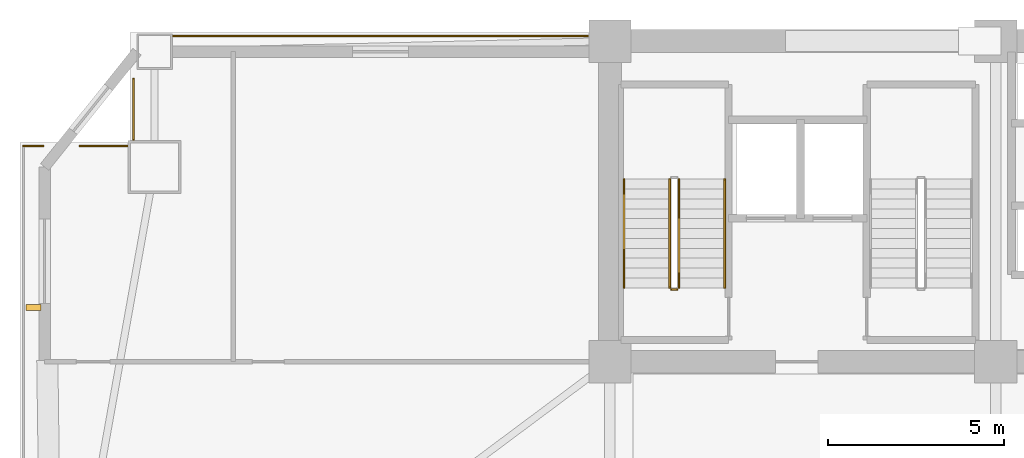
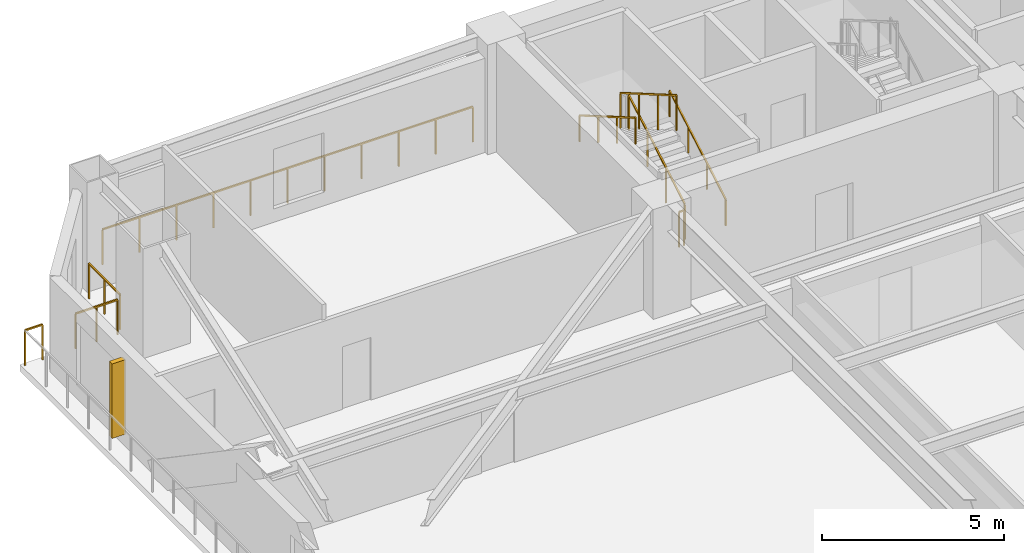
# One storey, part 16 of 18: 9 railings, 1 shading device.
"""IFC4 building model written with IfcOpenShell, lengths in metres."""

from ifc_helpers import new_model, si_unit, direction, frame, origin, origin_2d, place, context, subcontext, project, spatial, rectangle, extrude, source, transform, mapped, material, type_object, element, save


model = new_model("IFC4")

# Units and contexts
model_context = context("Model", 3, precision=1e-05, world=origin(), true_north=direction((0.0, 1.0)))
body_context = subcontext(model_context, "Body", "Model", "MODEL_VIEW")
ifc_project = project(units=[si_unit("LENGTHUNIT", "METRE"), si_unit("AREAUNIT", "SQUARE_METRE"), si_unit("VOLUMEUNIT", "CUBIC_METRE"), si_unit("PLANEANGLEUNIT", "RADIAN"), si_unit("MASSUNIT", "GRAM", prefix="KILO")], contexts=[model_context])

# Site, building, storey
site_placement = place(None, origin())
site = spatial("IfcSite", under=ifc_project, at=site_placement, CompositionType="ELEMENT")
building_placement = place(site_placement, origin())
building = spatial("IfcBuilding", under=site, at=building_placement, Name="Giltprow Tower", CompositionType="ELEMENT")
storey_placement = place(building_placement, frame((0.0, 0.0, 65.0)))
storey = spatial("IfcBuildingStorey", under=building, at=storey_placement, Name="L16", CompositionType="ELEMENT", Elevation=65.0)

# Railings
ifc_material = material(Name="Anodized bronze", Category="metal")
railing_type_1 = type_object("IfcRailingType", Name="RAIL-BALC-GUARD-1200", PredefinedType="BALUSTRADE", material=ifc_material)
railing_1_placement = place(storey_placement, frame((3.205078125, 43.577880859375, 0.0)))
element("IfcRailing", 1, at=railing_1_placement, inside=storey, type_object=railing_type_1, Name="L16 Corner Apron Edge Balustrade 6", PredefinedType="BALUSTRADE", context=body_context, shape_type="SweptSolid", body=[
    extrude(rectangle(XDim=0.048095703125, YDim=0.048095703125, at=origin_2d()), frame((0.0, 0.0, 1.17578125), z_axis=(1.0, 0.0, 0.0), x_axis=(0.0, 1.0, 0.0)), (0.0, 0.0, 1.0), 0.554931640625),
    extrude(rectangle(XDim=0.0419921875, YDim=0.0419921875, at=origin_2d()), origin(), (0.0, 0.0, 1.0), 1.15185546875),
    extrude(rectangle(XDim=0.0419921875, YDim=0.0419921875, at=origin_2d()), frame((0.554931640625, 0.0, 0.0)), (0.0, 0.0, 1.0), 1.15185546875),
])
railing_2_placement = place(storey_placement, frame((4.81103515625, 43.577880859375, 0.0)))
element("IfcRailing", 2, at=railing_2_placement, inside=storey, type_object=railing_type_1, Name="L16 Corner Apron Edge Balustrade 7", PredefinedType="BALUSTRADE", context=body_context, shape_type="SweptSolid", body=[
    extrude(rectangle(XDim=0.048095703125, YDim=0.048095703125, at=origin_2d()), frame((0.0, 0.0, 1.17578125), z_axis=(1.0, 0.0, 0.0), x_axis=(0.0, 1.0, 0.0)), (0.0, 0.0, 1.0), 1.3310546875),
    extrude(rectangle(XDim=0.0419921875, YDim=0.0419921875, at=origin_2d()), origin(), (0.0, 0.0, 1.0), 1.15185546875),
    extrude(rectangle(XDim=0.0419921875, YDim=0.0419921875, at=origin_2d()), frame((0.66552734375, 0.0, 0.0)), (0.0, 0.0, 1.0), 1.15185546875),
    extrude(rectangle(XDim=0.0419921875, YDim=0.0419921875, at=origin_2d()), frame((1.3310546875, 0.0, 0.0)), (0.0, 0.0, 1.0), 1.15185546875),
])
railing_3_placement = place(storey_placement, frame((6.326904296875, 43.762939453125, 0.0)))
element("IfcRailing", 3, at=railing_3_placement, inside=storey, type_object=railing_type_1, Name="L16 Corner Apron Edge Balustrade 8", PredefinedType="BALUSTRADE", context=body_context, shape_type="SweptSolid", body=[
    extrude(rectangle(XDim=0.048095703125, YDim=0.048095703125, at=origin_2d()), frame((0.0, 0.0, 1.17578125), z_axis=(0.0, 1.0, 0.0), x_axis=(-1.0, 0.0, 0.0)), (0.0, 0.0, 1.0), 1.70703125),
    extrude(rectangle(XDim=0.0419921875, YDim=0.0419921875, at=origin_2d()), origin(), (0.0, 0.0, 1.0), 1.15185546875),
    extrude(rectangle(XDim=0.0419921875, YDim=0.0419921875, at=origin_2d()), frame((0.0, 0.853515625, 0.0)), (0.0, 0.0, 1.0), 1.15185546875),
    extrude(rectangle(XDim=0.0419921875, YDim=0.0419921875, at=origin_2d()), frame((0.0, 1.70703125, 0.0)), (0.0, 0.0, 1.0), 1.15185546875),
])
railing_4_placement = place(storey_placement, frame((7.4619140625, 46.699951171875, 0.0)))
element("IfcRailing", 4, at=railing_4_placement, inside=storey, type_object=railing_type_1, Name="L16 Corner Apron Edge Balustrade 9", PredefinedType="BALUSTRADE", context=body_context, shape_type="SweptSolid", body=[
    extrude(rectangle(XDim=0.048095703125, YDim=0.048095703125, at=origin_2d()), frame((0.0, 0.0, 1.17578125), z_axis=(1.0, 0.0, 0.0), x_axis=(0.0, 1.0, 0.0)), (0.0, 0.0, 1.0), 11.753173828125),
    extrude(rectangle(XDim=0.0419921875, YDim=0.0419921875, at=origin_2d()), origin(), (0.0, 0.0, 1.0), 1.15185546875),
    extrude(rectangle(XDim=0.0419921875, YDim=0.0419921875, at=origin_2d()), frame((1.17529296875, 0.0, 0.0)), (0.0, 0.0, 1.0), 1.15185546875),
    extrude(rectangle(XDim=0.0419921875, YDim=0.0419921875, at=origin_2d()), frame((2.3505859375, 0.0, 0.0)), (0.0, 0.0, 1.0), 1.15185546875),
    extrude(rectangle(XDim=0.0419921875, YDim=0.0419921875, at=origin_2d()), frame((3.52587890625, 0.0, 0.0)), (0.0, 0.0, 1.0), 1.15185546875),
    extrude(rectangle(XDim=0.0419921875, YDim=0.0419921875, at=origin_2d()), frame((4.701171875, 0.0, 0.0)), (0.0, 0.0, 1.0), 1.15185546875),
    extrude(rectangle(XDim=0.0419921875, YDim=0.0419921875, at=origin_2d()), frame((5.87646484375, 0.0, 0.0)), (0.0, 0.0, 1.0), 1.15185546875),
    extrude(rectangle(XDim=0.0419921875, YDim=0.0419921875, at=origin_2d()), frame((7.052001953125, 0.0, 0.0)), (0.0, 0.0, 1.0), 1.15185546875),
    extrude(rectangle(XDim=0.0419921875, YDim=0.0419921875, at=origin_2d()), frame((8.227294921875, 0.0, 0.0)), (0.0, 0.0, 1.0), 1.15185546875),
    extrude(rectangle(XDim=0.0419921875, YDim=0.0419921875, at=origin_2d()), frame((9.402587890625, 0.0, 0.0)), (0.0, 0.0, 1.0), 1.15185546875),
    extrude(rectangle(XDim=0.0419921875, YDim=0.0419921875, at=origin_2d()), frame((10.577880859375, 0.0, 0.0)), (0.0, 0.0, 1.0), 1.15185546875),
    extrude(rectangle(XDim=0.0419921875, YDim=0.0419921875, at=origin_2d()), frame((11.753173828125, 0.0, 0.0)), (0.0, 0.0, 1.0), 1.15185546875),
])
railing_type_2 = type_object("IfcRailingType", Name="RAIL-STAIR-GUARD-1200", PredefinedType="GUARDRAIL", material=ifc_material)
railing_5_placement = place(storey_placement, frame((21.81005859375, 39.550048828125, 0.16259765625)))
element("IfcRailing", 5, at=railing_5_placement, inside=storey, type_object=railing_type_2, Name="L16 ST-1 stair guard 1", PredefinedType="GUARDRAIL", context=body_context, shape_type="SweptSolid", body=[
    extrude(rectangle(XDim=0.048095703125, YDim=0.048095703125, at=origin_2d()), frame((0.0, 0.0, 1.17578125), z_axis=(0.0, 0.864903211148, 0.501938676878), x_axis=(-1.0, 0.0, 0.0)), (0.0, 0.0, 1.0), 3.560791015625),
    extrude(rectangle(XDim=0.0419921875, YDim=0.0419921875, at=origin_2d()), origin(), (0.0, 0.0, 1.0), 1.15185546875),
    extrude(rectangle(XDim=0.0419921875, YDim=0.0419921875, at=origin_2d()), frame((0.0, 1.026611328125, 0.595703125)), (0.0, 0.0, 1.0), 1.15185546875),
    extrude(rectangle(XDim=0.0419921875, YDim=0.0419921875, at=origin_2d()), frame((0.0, 2.05322265625, 1.191650390625)), (0.0, 0.0, 1.0), 1.15185546875),
    extrude(rectangle(XDim=0.0419921875, YDim=0.0419921875, at=origin_2d()), frame((0.0, 3.079833984375, 1.787353515625)), (0.0, 0.0, 1.0), 1.15185546875),
])
railing_6_placement = place(storey_placement, frame((21.550048828125, 42.6298828125, 2.112548828125)))
element("IfcRailing", 6, at=railing_6_placement, inside=storey, type_object=railing_type_2, Name="L16 ST-1 stair guard 3", PredefinedType="GUARDRAIL", context=body_context, shape_type="SweptSolid", body=[
    extrude(rectangle(XDim=0.048095703125, YDim=0.048095703125, at=origin_2d()), frame((0.0, 0.0, 1.17578125), z_axis=(0.0, -0.864903211148, 0.501938676878), x_axis=(1.0, 0.0, 0.0)), (0.0, 0.0, 1.0), 3.560791015625),
    extrude(rectangle(XDim=0.0419921875, YDim=0.0419921875, at=origin_2d()), origin(), (0.0, 0.0, 1.0), 1.15185546875),
    extrude(rectangle(XDim=0.0419921875, YDim=0.0419921875, at=origin_2d()), frame((0.0, -1.026611328125, 0.595703125)), (0.0, 0.0, 1.0), 1.15185546875),
    extrude(rectangle(XDim=0.0419921875, YDim=0.0419921875, at=origin_2d()), frame((0.0, -2.05322265625, 1.191650390625)), (0.0, 0.0, 1.0), 1.15185546875),
    extrude(rectangle(XDim=0.0419921875, YDim=0.0419921875, at=origin_2d()), frame((0.0, -3.079833984375, 1.787353515625)), (0.0, 0.0, 1.0), 1.15185546875),
])
railing_7_placement = place(storey_placement, frame((21.760009765625, 39.5, 0.0)))
element("IfcRailing", 7, at=railing_7_placement, inside=storey, type_object=railing_type_2, Name="L16 ST-1 stair guard 4", PredefinedType="GUARDRAIL", context=body_context, shape_type="SweptSolid", body=[
    extrude(rectangle(XDim=0.048095703125, YDim=0.048095703125, at=origin_2d()), frame((0.0, 0.0, 1.17578125), z_axis=(-1.0, 0.0, 0.0), x_axis=(0.0, -1.0, 0.0)), (0.0, 0.0, 1.0), 0.159912109375),
    extrude(rectangle(XDim=0.0419921875, YDim=0.0419921875, at=origin_2d()), origin(), (0.0, 0.0, 1.0), 1.15185546875),
    extrude(rectangle(XDim=0.0419921875, YDim=0.0419921875, at=origin_2d()), frame((-0.159912109375, 0.0, 0.0)), (0.0, 0.0, 1.0), 1.15185546875),
])
railing_type_3 = type_object("IfcRailingType", Name="RAIL-STAIR-HAND-900", PredefinedType="HANDRAIL", material=ifc_material)
railing_8_placement = place(storey_placement, frame((23.110107421875, 39.550048828125, 0.16259765625)))
element("IfcRailing", 8, at=railing_8_placement, inside=storey, type_object=railing_type_3, Name="L16 ST-1 stair handrail 1", PredefinedType="HANDRAIL", context=body_context, shape_type="SweptSolid", body=[
    extrude(rectangle(XDim=0.048095703125, YDim=0.048095703125, at=origin_2d()), frame((0.0, 0.0, 0.8759765625), z_axis=(0.0, 0.864903211148, 0.501938676878), x_axis=(-1.0, 0.0, 0.0)), (0.0, 0.0, 1.0), 3.560791015625),
    extrude(rectangle(XDim=0.0419921875, YDim=0.0419921875, at=origin_2d()), origin(), (0.0, 0.0, 1.0), 0.851806640625),
    extrude(rectangle(XDim=0.0419921875, YDim=0.0419921875, at=origin_2d()), frame((0.0, 1.026611328125, 0.595703125)), (0.0, 0.0, 1.0), 0.851806640625),
    extrude(rectangle(XDim=0.0419921875, YDim=0.0419921875, at=origin_2d()), frame((0.0, 2.05322265625, 1.191650390625)), (0.0, 0.0, 1.0), 0.851806640625),
    extrude(rectangle(XDim=0.0419921875, YDim=0.0419921875, at=origin_2d()), frame((0.0, 3.079833984375, 1.787353515625)), (0.0, 0.0, 1.0), 0.851806640625),
])
railing_9_placement = place(storey_placement, frame((20.25, 42.6298828125, 2.112548828125)))
element("IfcRailing", 9, at=railing_9_placement, inside=storey, type_object=railing_type_3, Name="L16 ST-1 stair handrail 2", PredefinedType="HANDRAIL", context=body_context, shape_type="SweptSolid", body=[
    extrude(rectangle(XDim=0.048095703125, YDim=0.048095703125, at=origin_2d()), frame((0.0, 0.0, 0.8759765625), z_axis=(0.0, -0.864903211148, 0.501938676878), x_axis=(1.0, 0.0, 0.0)), (0.0, 0.0, 1.0), 3.560791015625),
    extrude(rectangle(XDim=0.0419921875, YDim=0.0419921875, at=origin_2d()), origin(), (0.0, 0.0, 1.0), 0.851806640625),
    extrude(rectangle(XDim=0.0419921875, YDim=0.0419921875, at=origin_2d()), frame((0.0, -1.026611328125, 0.595703125)), (0.0, 0.0, 1.0), 0.851806640625),
    extrude(rectangle(XDim=0.0419921875, YDim=0.0419921875, at=origin_2d()), frame((0.0, -2.05322265625, 1.191650390625)), (0.0, 0.0, 1.0), 0.851806640625),
    extrude(rectangle(XDim=0.0419921875, YDim=0.0419921875, at=origin_2d()), frame((0.0, -3.079833984375, 1.787353515625)), (0.0, 0.0, 1.0), 0.851806640625),
])

# Shading device
shading_device_type = type_object("IfcShadingDeviceType", Name="SHD-FIN-420", PredefinedType="USERDEFINED", material=ifc_material)
shared_shape = source(origin(), body_context, "Body", "SweptSolid", [
    extrude(rectangle(XDim=0.419921875, YDim=0.159912109375, at=origin_2d()), origin(), (0.0, 0.0, 1.0), 2.5),
])
shading_device_placement = place(storey_placement, frame((3.485107421875, 38.988037109375, 0.35009765625), z_axis=(0.0, 0.0, 1.0), x_axis=(1.0, 0.0, 0.0)))
element("IfcShadingDevice", 10, at=shading_device_placement, inside=storey, type_object=shading_device_type, Name="L16 W Bronze Vertical Fin 2-2", ObjectType="FIN", PredefinedType="USERDEFINED", context=body_context, shape_type="MappedRepresentation", body=[
    mapped(shared_shape, transform((0.0, 0.0, 0.0), x_axis=(1.0, 0.0, 0.0), y_axis=(0.0, 1.0, 0.0), z_axis=(0.0, 0.0, 1.0), scale=1.0)),
])

save(model, "model.ifc")
